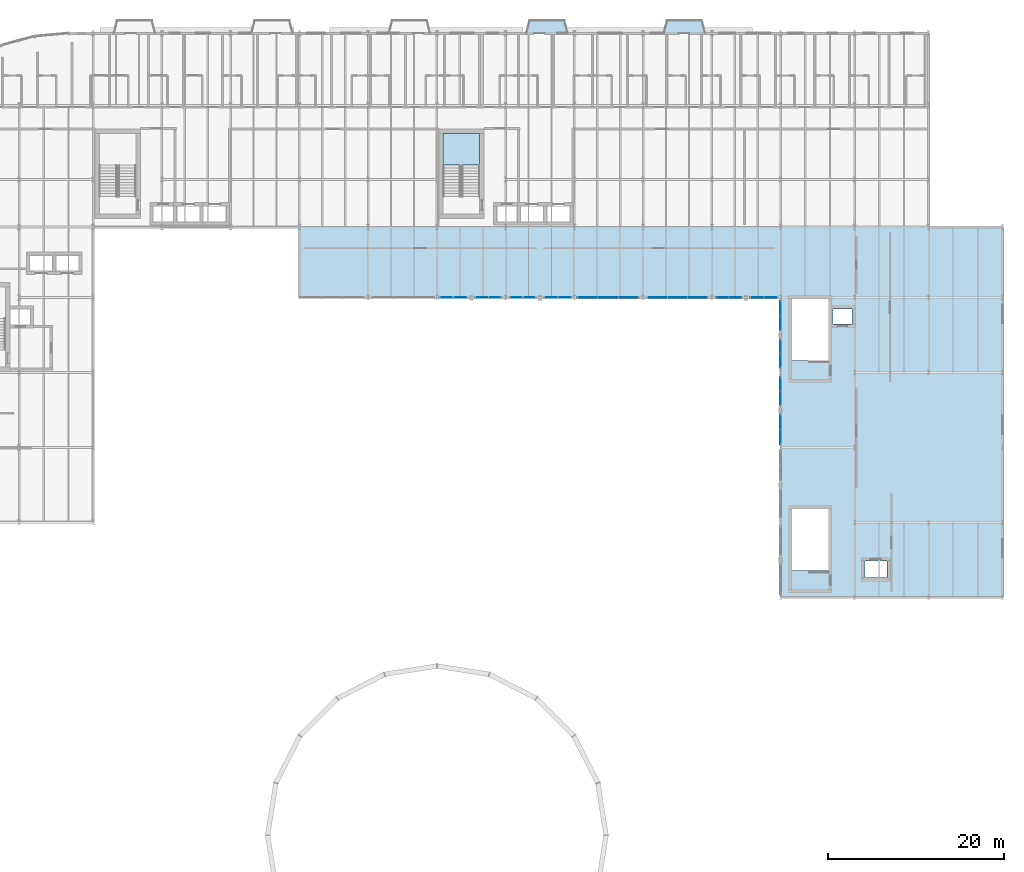
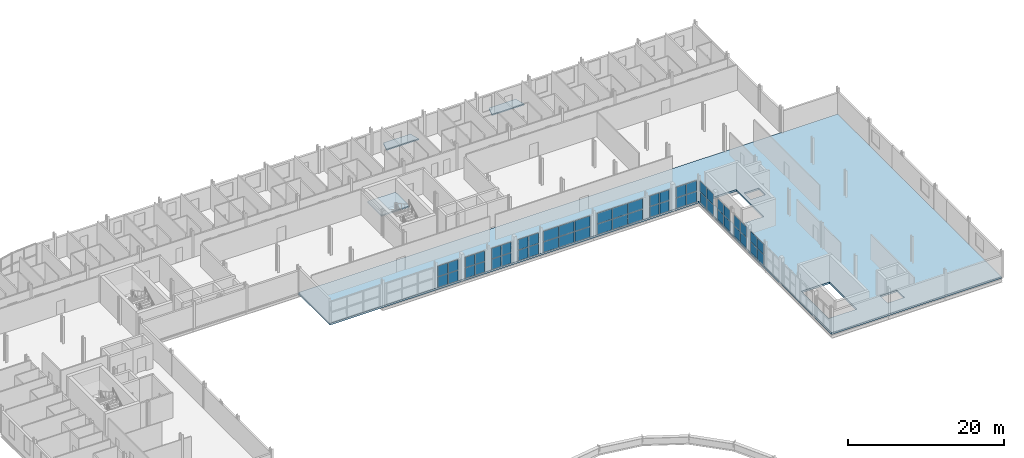
# One storey, part 24 of 45: 52 plates, 4 slabs, 13 elements without a shape of their own.
"""IFC4 building model written with IfcOpenShell, lengths in metres."""

from ifc_helpers import new_model, si_unit, direction, frame, origin, origin_2d, place, context, subcontext, project, spatial, polyline, rectangle, outline, extrude, material, layer, layer_set, type_object, element, aggregate, save


model = new_model("IFC4")

# Units and contexts
model_context = context("Model", 3, precision=1e-05, world=origin(), true_north=direction((0.0, 1.0)))
body_context = subcontext(model_context, "Body", "Model", "MODEL_VIEW")
ifc_project = project(units=[si_unit("LENGTHUNIT", "METRE"), si_unit("AREAUNIT", "SQUARE_METRE"), si_unit("VOLUMEUNIT", "CUBIC_METRE"), si_unit("PLANEANGLEUNIT", "RADIAN"), si_unit("MASSUNIT", "GRAM", prefix="KILO")], contexts=[model_context])

# Site, building, storey
site_placement = place(None, origin())
site = spatial("IfcSite", under=ifc_project, at=site_placement, CompositionType="ELEMENT")
building_placement = place(site_placement, origin())
building = spatial("IfcBuilding", under=site, at=building_placement, Name="Sefraquen Railside Congress Hotel", CompositionType="ELEMENT")
storey_placement = place(building_placement, frame((0.0, 0.0, 20.39990234375)))
storey = spatial("IfcBuildingStorey", under=building, at=storey_placement, Name="L04", CompositionType="ELEMENT", Elevation=20.39990234375)

# Curtain wall, plates
ifc_material_1 = material(Name="Thermally broken anodised aluminium and low-E double glazing", Category="aluminium")
ifc_layer_1 = layer(ifc_material_1, 0.199951171875)
ifc_layer_set_1 = layer_set([ifc_layer_1], Name="Thermally broken anodised aluminium and low-E double glazing")
curtain_wall_type_1 = type_object("IfcCurtainWallType", Name="TCW-UCW-06", PredefinedType="USERDEFINED", material=ifc_layer_set_1)
curtain_wall_1_placement = place(storey_placement, origin())
curtain_wall_1 = element("IfcCurtainWall", 1, at=curtain_wall_1_placement, inside=storey, type_object=curtain_wall_type_1, Name="Meeting Wing L04 courtyard north curtain wall 2", ObjectType="UNITISED CURTAIN WALL", PredefinedType="USERDEFINED")
ifc_material_2 = material(Name="Solar-control low-E double glazing", Category="glass")
ifc_layer_2 = layer(ifc_material_2, 0.02392578125)
ifc_layer_set_2 = layer_set([ifc_layer_2], Name="Solar-control low-E double glazing")
plate_type_1 = type_object("IfcPlateType", Name="TP-CWP-01", PredefinedType="CURTAIN_PANEL", material=ifc_layer_set_2)
plate_1_placement = place(storey_placement, frame((65.28759765625, 88.0, 0.0400390625), z_axis=(0.0, 0.0, 1.0), x_axis=(1.0, 0.0, 0.0)))
plate_1 = element("IfcPlate", 2, at=plate_1_placement, type_object=plate_type_1, Name="CW-L04-070 panel 1.1", PredefinedType="CURTAIN_PANEL", context=body_context, shape_type="SweptSolid", body=[
    extrude(rectangle(XDim=1.465087890625, YDim=0.02392578125, at=origin_2d()), origin(), (0.0, 0.0, 1.0), 1.614990234375),
])
plate_2_placement = place(storey_placement, frame((66.842529296875, 88.0, 0.0400390625), z_axis=(0.0, 0.0, 1.0), x_axis=(1.0, 0.0, 0.0)))
plate_2 = element("IfcPlate", 3, at=plate_2_placement, type_object=plate_type_1, Name="CW-L04-070 panel 1.2", PredefinedType="CURTAIN_PANEL", context=body_context, shape_type="SweptSolid", body=[
    extrude(rectangle(XDim=1.465087890625, YDim=0.02392578125, at=origin_2d()), origin(), (0.0, 0.0, 1.0), 1.614990234375),
])

curtain_wall_2_placement = place(storey_placement, origin())
curtain_wall_2 = element("IfcCurtainWall", 4, at=curtain_wall_2_placement, inside=storey, type_object=curtain_wall_type_1, Name="Meeting Wing L04 courtyard north curtain wall 2 bay 2", ObjectType="UNITISED CURTAIN WALL", PredefinedType="USERDEFINED")
plate_3_placement = place(storey_placement, frame((69.31494140625, 88.0, 0.0400390625), z_axis=(0.0, 0.0, 1.0), x_axis=(1.0, 0.0, 0.0)))
plate_3 = element("IfcPlate", 5, at=plate_3_placement, type_object=plate_type_1, Name="CW-L04-070-S2 panel 1.1", PredefinedType="CURTAIN_PANEL", context=body_context, shape_type="SweptSolid", body=[
    extrude(rectangle(XDim=1.3798828125, YDim=0.02392578125, at=origin_2d()), origin(), (0.0, 0.0, 1.0), 1.614990234375),
])
plate_4_placement = place(storey_placement, frame((70.784912109375, 88.0, 0.0400390625), z_axis=(0.0, 0.0, 1.0), x_axis=(1.0, 0.0, 0.0)))
plate_4 = element("IfcPlate", 6, at=plate_4_placement, type_object=plate_type_1, Name="CW-L04-070-S2 panel 1.2", PredefinedType="CURTAIN_PANEL", context=body_context, shape_type="SweptSolid", body=[
    extrude(rectangle(XDim=1.3798828125, YDim=0.02392578125, at=origin_2d()), origin(), (0.0, 0.0, 1.0), 1.614990234375),
])

curtain_wall_3_placement = place(storey_placement, origin())
curtain_wall_3 = element("IfcCurtainWall", 7, at=curtain_wall_3_placement, inside=storey, type_object=curtain_wall_type_1, Name="Meeting Wing L04 courtyard north curtain wall 2 bay 3", ObjectType="UNITISED CURTAIN WALL", PredefinedType="USERDEFINED")
plate_5_placement = place(storey_placement, frame((73.215087890625, 88.0, 0.0400390625), z_axis=(0.0, 0.0, 1.0), x_axis=(1.0, 0.0, 0.0)))
plate_5 = element("IfcPlate", 8, at=plate_5_placement, type_object=plate_type_1, Name="CW-L04-070-S3 panel 1.1", PredefinedType="CURTAIN_PANEL", context=body_context, shape_type="SweptSolid", body=[
    extrude(rectangle(XDim=1.3798828125, YDim=0.02392578125, at=origin_2d()), origin(), (0.0, 0.0, 1.0), 1.614990234375),
])
plate_6_placement = place(storey_placement, frame((74.68505859375, 88.0, 0.0400390625), z_axis=(0.0, 0.0, 1.0), x_axis=(1.0, 0.0, 0.0)))
plate_6 = element("IfcPlate", 9, at=plate_6_placement, type_object=plate_type_1, Name="CW-L04-070-S3 panel 1.2", PredefinedType="CURTAIN_PANEL", context=body_context, shape_type="SweptSolid", body=[
    extrude(rectangle(XDim=1.3798828125, YDim=0.02392578125, at=origin_2d()), origin(), (0.0, 0.0, 1.0), 1.614990234375),
])

curtain_wall_4_placement = place(storey_placement, origin())
curtain_wall_4 = element("IfcCurtainWall", 10, at=curtain_wall_4_placement, inside=storey, type_object=curtain_wall_type_1, Name="Meeting Wing L04 courtyard north curtain wall 2 bay 4", ObjectType="UNITISED CURTAIN WALL", PredefinedType="USERDEFINED")
plate_7_placement = place(storey_placement, frame((77.157470703125, 88.0, 0.0400390625), z_axis=(0.0, 0.0, 1.0), x_axis=(1.0, 0.0, 0.0)))
plate_7 = element("IfcPlate", 11, at=plate_7_placement, type_object=plate_type_1, Name="CW-L04-070-S4 panel 1.1", PredefinedType="CURTAIN_PANEL", context=body_context, shape_type="SweptSolid", body=[
    extrude(rectangle(XDim=1.465087890625, YDim=0.02392578125, at=origin_2d()), origin(), (0.0, 0.0, 1.0), 1.614990234375),
])
plate_8_placement = place(storey_placement, frame((78.71240234375, 88.0, 0.0400390625), z_axis=(0.0, 0.0, 1.0), x_axis=(1.0, 0.0, 0.0)))
plate_8 = element("IfcPlate", 12, at=plate_8_placement, type_object=plate_type_1, Name="CW-L04-070-S4 panel 1.2", PredefinedType="CURTAIN_PANEL", context=body_context, shape_type="SweptSolid", body=[
    extrude(rectangle(XDim=1.465087890625, YDim=0.02392578125, at=origin_2d()), origin(), (0.0, 0.0, 1.0), 1.614990234375),
])

ifc_layer_3 = layer(ifc_material_1, 0.199951171875)
ifc_layer_set_3 = layer_set([ifc_layer_3], Name="Thermally broken anodised aluminium and low-E double glazing")
curtain_wall_type_2 = type_object("IfcCurtainWallType", Name="TCW-UCW-07", PredefinedType="USERDEFINED", material=ifc_layer_set_3)
curtain_wall_5_placement = place(storey_placement, origin())
curtain_wall_5 = element("IfcCurtainWall", 13, at=curtain_wall_5_placement, inside=storey, type_object=curtain_wall_type_2, Name="Meeting Wing L04 courtyard north curtain wall 3", ObjectType="UNITISED CURTAIN WALL", PredefinedType="USERDEFINED")
plate_9_placement = place(storey_placement, frame((81.2783203125, 88.0, 0.0400390625), z_axis=(0.0, 0.0, 1.0), x_axis=(1.0, 0.0, 0.0)))
plate_9 = element("IfcPlate", 14, at=plate_9_placement, type_object=plate_type_1, Name="CW-L04-071 panel 1.1", PredefinedType="CURTAIN_PANEL", context=body_context, shape_type="SweptSolid", body=[
    extrude(rectangle(XDim=2.24658203125, YDim=0.02392578125, at=origin_2d()), origin(), (0.0, 0.0, 1.0), 1.614990234375),
])
plate_10_placement = place(storey_placement, frame((83.614990234375, 88.0, 0.0400390625), z_axis=(0.0, 0.0, 1.0), x_axis=(1.0, 0.0, 0.0)))
plate_10 = element("IfcPlate", 15, at=plate_10_placement, type_object=plate_type_1, Name="CW-L04-071 panel 1.2", PredefinedType="CURTAIN_PANEL", context=body_context, shape_type="SweptSolid", body=[
    extrude(rectangle(XDim=2.24658203125, YDim=0.02392578125, at=origin_2d()), origin(), (0.0, 0.0, 1.0), 1.614990234375),
])
plate_11_placement = place(storey_placement, frame((85.95166015625, 88.0, 0.0400390625), z_axis=(0.0, 0.0, 1.0), x_axis=(1.0, 0.0, 0.0)))
plate_11 = element("IfcPlate", 16, at=plate_11_placement, type_object=plate_type_1, Name="CW-L04-071 panel 1.3", PredefinedType="CURTAIN_PANEL", context=body_context, shape_type="SweptSolid", body=[
    extrude(rectangle(XDim=2.24658203125, YDim=0.02392578125, at=origin_2d()), origin(), (0.0, 0.0, 1.0), 1.614990234375),
])

curtain_wall_6_placement = place(storey_placement, origin())
curtain_wall_6 = element("IfcCurtainWall", 17, at=curtain_wall_6_placement, inside=storey, type_object=curtain_wall_type_2, Name="Meeting Wing L04 courtyard north curtain wall 3 bay 2", ObjectType="UNITISED CURTAIN WALL", PredefinedType="USERDEFINED")
plate_12_placement = place(storey_placement, frame((89.219970703125, 88.0, 0.0400390625), z_axis=(0.0, 0.0, 1.0), x_axis=(1.0, 0.0, 0.0)))
plate_12 = element("IfcPlate", 18, at=plate_12_placement, type_object=plate_type_1, Name="CW-L04-071-S2 panel 1.1", PredefinedType="CURTAIN_PANEL", context=body_context, shape_type="SweptSolid", body=[
    extrude(rectangle(XDim=2.18994140625, YDim=0.02392578125, at=origin_2d()), origin(), (0.0, 0.0, 1.0), 1.614990234375),
])
plate_13_placement = place(storey_placement, frame((91.5, 88.0, 0.0400390625), z_axis=(0.0, 0.0, 1.0), x_axis=(1.0, 0.0, 0.0)))
plate_13 = element("IfcPlate", 19, at=plate_13_placement, type_object=plate_type_1, Name="CW-L04-071-S2 panel 1.2", PredefinedType="CURTAIN_PANEL", context=body_context, shape_type="SweptSolid", body=[
    extrude(rectangle(XDim=2.18994140625, YDim=0.02392578125, at=origin_2d()), origin(), (0.0, 0.0, 1.0), 1.614990234375),
])
plate_14_placement = place(storey_placement, frame((93.780029296875, 88.0, 0.0400390625), z_axis=(0.0, 0.0, 1.0), x_axis=(1.0, 0.0, 0.0)))
plate_14 = element("IfcPlate", 20, at=plate_14_placement, type_object=plate_type_1, Name="CW-L04-071-S2 panel 1.3", PredefinedType="CURTAIN_PANEL", context=body_context, shape_type="SweptSolid", body=[
    extrude(rectangle(XDim=2.18994140625, YDim=0.02392578125, at=origin_2d()), origin(), (0.0, 0.0, 1.0), 1.614990234375),
])

curtain_wall_7_placement = place(storey_placement, origin())
curtain_wall_7 = element("IfcCurtainWall", 21, at=curtain_wall_7_placement, inside=storey, type_object=curtain_wall_type_2, Name="Meeting Wing L04 courtyard north curtain wall 3 bay 3", ObjectType="UNITISED CURTAIN WALL", PredefinedType="USERDEFINED")
plate_15_placement = place(storey_placement, frame((96.614990234375, 88.0, 0.0400390625), z_axis=(0.0, 0.0, 1.0), x_axis=(1.0, 0.0, 0.0)))
plate_15 = element("IfcPlate", 22, at=plate_15_placement, type_object=plate_type_1, Name="CW-L04-071-S3 panel 1.1", PredefinedType="CURTAIN_PANEL", context=body_context, shape_type="SweptSolid", body=[
    extrude(rectangle(XDim=1.3798828125, YDim=0.02392578125, at=origin_2d()), origin(), (0.0, 0.0, 1.0), 1.614990234375),
])
plate_16_placement = place(storey_placement, frame((98.0849609375, 88.0, 0.0400390625), z_axis=(0.0, 0.0, 1.0), x_axis=(1.0, 0.0, 0.0)))
plate_16 = element("IfcPlate", 23, at=plate_16_placement, type_object=plate_type_1, Name="CW-L04-071-S3 panel 1.2", PredefinedType="CURTAIN_PANEL", context=body_context, shape_type="SweptSolid", body=[
    extrude(rectangle(XDim=1.3798828125, YDim=0.02392578125, at=origin_2d()), origin(), (0.0, 0.0, 1.0), 1.614990234375),
])

curtain_wall_8_placement = place(storey_placement, origin())
curtain_wall_8 = element("IfcCurtainWall", 24, at=curtain_wall_8_placement, inside=storey, type_object=curtain_wall_type_2, Name="Meeting Wing L04 courtyard north curtain wall 3 bay 4", ObjectType="UNITISED CURTAIN WALL", PredefinedType="USERDEFINED")
plate_17_placement = place(storey_placement, frame((100.5576171875, 88.0, 0.0400390625), z_axis=(0.0, 0.0, 1.0), x_axis=(1.0, 0.0, 0.0)))
plate_17 = element("IfcPlate", 25, at=plate_17_placement, type_object=plate_type_1, Name="CW-L04-071-S4 panel 1.1", PredefinedType="CURTAIN_PANEL", context=body_context, shape_type="SweptSolid", body=[
    extrude(rectangle(XDim=1.465087890625, YDim=0.02392578125, at=origin_2d()), origin(), (0.0, 0.0, 1.0), 1.614990234375),
])
plate_18_placement = place(storey_placement, frame((102.112548828125, 88.0, 0.0400390625), z_axis=(0.0, 0.0, 1.0), x_axis=(1.0, 0.0, 0.0)))
plate_18 = element("IfcPlate", 26, at=plate_18_placement, type_object=plate_type_1, Name="CW-L04-071-S4 panel 1.2", PredefinedType="CURTAIN_PANEL", context=body_context, shape_type="SweptSolid", body=[
    extrude(rectangle(XDim=1.465087890625, YDim=0.02392578125, at=origin_2d()), origin(), (0.0, 0.0, 1.0), 1.614990234375),
])

ifc_layer_4 = layer(ifc_material_1, 0.199951171875)
ifc_layer_set_4 = layer_set([ifc_layer_4], Name="Thermally broken anodised aluminium and low-E double glazing")
curtain_wall_type_3 = type_object("IfcCurtainWallType", Name="TCW-UCW-09", PredefinedType="USERDEFINED", material=ifc_layer_set_4)
curtain_wall_9_placement = place(storey_placement, origin())
curtain_wall_9 = element("IfcCurtainWall", 27, at=curtain_wall_9_placement, inside=storey, type_object=curtain_wall_type_3, Name="Meeting Wing L04 courtyard east curtain wall", ObjectType="UNITISED CURTAIN WALL", PredefinedType="USERDEFINED")
plate_19_placement = place(storey_placement, frame((103.199951171875, 72.175048828125, 0.0400390625), z_axis=(0.0, 0.0, 1.0), x_axis=(0.0, 1.0, 0.0)))
plate_19 = element("IfcPlate", 28, at=plate_19_placement, type_object=plate_type_1, Name="CW-L04-073 panel 1.1", PredefinedType="CURTAIN_PANEL", context=body_context, shape_type="SweptSolid", body=[
    extrude(rectangle(XDim=1.639892578125, YDim=0.02392578125, at=origin_2d()), origin(), (0.0, 0.0, 1.0), 1.614990234375),
])
plate_20_placement = place(storey_placement, frame((103.199951171875, 73.905029296875, 0.0400390625), z_axis=(0.0, 0.0, 1.0), x_axis=(0.0, 1.0, 0.0)))
plate_20 = element("IfcPlate", 29, at=plate_20_placement, type_object=plate_type_1, Name="CW-L04-073 panel 1.2", PredefinedType="CURTAIN_PANEL", context=body_context, shape_type="SweptSolid", body=[
    extrude(rectangle(XDim=1.639892578125, YDim=0.02392578125, at=origin_2d()), origin(), (0.0, 0.0, 1.0), 1.614990234375),
])

curtain_wall_10_placement = place(storey_placement, origin())
curtain_wall_10 = element("IfcCurtainWall", 30, at=curtain_wall_10_placement, inside=storey, type_object=curtain_wall_type_3, Name="Meeting Wing L04 courtyard east curtain wall bay 2", ObjectType="UNITISED CURTAIN WALL", PredefinedType="USERDEFINED")
plate_21_placement = place(storey_placement, frame((103.199951171875, 76.552490234375, 0.0400390625), z_axis=(0.0, 0.0, 1.0), x_axis=(0.0, 1.0, 0.0)))
plate_21 = element("IfcPlate", 31, at=plate_21_placement, type_object=plate_type_1, Name="CW-L04-073-S2 panel 1.1", PredefinedType="CURTAIN_PANEL", context=body_context, shape_type="SweptSolid", body=[
    extrude(rectangle(XDim=1.554931640625, YDim=0.02392578125, at=origin_2d()), origin(), (0.0, 0.0, 1.0), 1.614990234375),
])
plate_22_placement = place(storey_placement, frame((103.199951171875, 78.197509765625, 0.0400390625), z_axis=(0.0, 0.0, 1.0), x_axis=(0.0, 1.0, 0.0)))
plate_22 = element("IfcPlate", 32, at=plate_22_placement, type_object=plate_type_1, Name="CW-L04-073-S2 panel 1.2", PredefinedType="CURTAIN_PANEL", context=body_context, shape_type="SweptSolid", body=[
    extrude(rectangle(XDim=1.554931640625, YDim=0.02392578125, at=origin_2d()), origin(), (0.0, 0.0, 1.0), 1.614990234375),
])

curtain_wall_11_placement = place(storey_placement, origin())
curtain_wall_11 = element("IfcCurtainWall", 33, at=curtain_wall_11_placement, inside=storey, type_object=curtain_wall_type_3, Name="Meeting Wing L04 courtyard east curtain wall bay 3", ObjectType="UNITISED CURTAIN WALL", PredefinedType="USERDEFINED")
plate_23_placement = place(storey_placement, frame((103.199951171875, 80.802490234375, 0.0400390625), z_axis=(0.0, 0.0, 1.0), x_axis=(0.0, 1.0, 0.0)))
plate_23 = element("IfcPlate", 34, at=plate_23_placement, type_object=plate_type_1, Name="CW-L04-073-S3 panel 1.1", PredefinedType="CURTAIN_PANEL", context=body_context, shape_type="SweptSolid", body=[
    extrude(rectangle(XDim=1.554931640625, YDim=0.02392578125, at=origin_2d()), origin(), (0.0, 0.0, 1.0), 1.614990234375),
])
plate_24_placement = place(storey_placement, frame((103.199951171875, 82.447509765625, 0.0400390625), z_axis=(0.0, 0.0, 1.0), x_axis=(0.0, 1.0, 0.0)))
plate_24 = element("IfcPlate", 35, at=plate_24_placement, type_object=plate_type_1, Name="CW-L04-073-S3 panel 1.2", PredefinedType="CURTAIN_PANEL", context=body_context, shape_type="SweptSolid", body=[
    extrude(rectangle(XDim=1.554931640625, YDim=0.02392578125, at=origin_2d()), origin(), (0.0, 0.0, 1.0), 1.614990234375),
])

curtain_wall_12_placement = place(storey_placement, origin())
curtain_wall_12 = element("IfcCurtainWall", 36, at=curtain_wall_12_placement, inside=storey, type_object=curtain_wall_type_3, Name="Meeting Wing L04 courtyard east curtain wall bay 4", ObjectType="UNITISED CURTAIN WALL", PredefinedType="USERDEFINED")
plate_25_placement = place(storey_placement, frame((103.199951171875, 85.094970703125, 0.0400390625), z_axis=(0.0, 0.0, 1.0), x_axis=(0.0, 1.0, 0.0)))
plate_25 = element("IfcPlate", 37, at=plate_25_placement, type_object=plate_type_1, Name="CW-L04-073-S4 panel 1.1", PredefinedType="CURTAIN_PANEL", context=body_context, shape_type="SweptSolid", body=[
    extrude(rectangle(XDim=1.639892578125, YDim=0.02392578125, at=origin_2d()), origin(), (0.0, 0.0, 1.0), 1.614990234375),
])
plate_26_placement = place(storey_placement, frame((103.199951171875, 86.824951171875, 0.0400390625), z_axis=(0.0, 0.0, 1.0), x_axis=(0.0, 1.0, 0.0)))
plate_26 = element("IfcPlate", 38, at=plate_26_placement, type_object=plate_type_1, Name="CW-L04-073-S4 panel 1.2", PredefinedType="CURTAIN_PANEL", context=body_context, shape_type="SweptSolid", body=[
    extrude(rectangle(XDim=1.639892578125, YDim=0.02392578125, at=origin_2d()), origin(), (0.0, 0.0, 1.0), 1.614990234375),
])

# Plate
ifc_material_3 = material(Name="Triple acoustic solar-control glazing", Category="glass")
ifc_layer_5 = layer(ifc_material_3, 0.031982421875)
ifc_layer_set_5 = layer_set([ifc_layer_5], Name="Triple acoustic solar-control glazing")
plate_type_2 = type_object("IfcPlateType", Name="TP-CWP-02", PredefinedType="CURTAIN_PANEL", material=ifc_layer_set_5)
plate_27_placement = place(storey_placement, frame((65.28759765625, 88.0, 1.73486328125), z_axis=(0.0, 0.0, 1.0), x_axis=(1.0, 0.0, 0.0)))
plate_27 = element("IfcPlate", 39, at=plate_27_placement, type_object=plate_type_2, Name="CW-L04-070 panel 2.1", PredefinedType="CURTAIN_PANEL", context=body_context, shape_type="SweptSolid", body=[
    extrude(rectangle(XDim=1.465087890625, YDim=0.031982421875, at=origin_2d()), origin(), (0.0, 0.0, 1.0), 1.614990234375),
])

plate_28_placement = place(storey_placement, frame((66.842529296875, 88.0, 1.73486328125), z_axis=(0.0, 0.0, 1.0), x_axis=(1.0, 0.0, 0.0)))
plate_28 = element("IfcPlate", 40, at=plate_28_placement, type_object=plate_type_2, Name="CW-L04-070 panel 2.2", PredefinedType="CURTAIN_PANEL", context=body_context, shape_type="SweptSolid", body=[
    extrude(rectangle(XDim=1.465087890625, YDim=0.031982421875, at=origin_2d()), origin(), (0.0, 0.0, 1.0), 1.614990234375),
])

aggregate(curtain_wall_1, [plate_1, plate_2, plate_27, plate_28])

plate_29_placement = place(storey_placement, frame((69.31494140625, 88.0, 1.73486328125), z_axis=(0.0, 0.0, 1.0), x_axis=(1.0, 0.0, 0.0)))
plate_29 = element("IfcPlate", 41, at=plate_29_placement, type_object=plate_type_2, Name="CW-L04-070-S2 panel 2.1", PredefinedType="CURTAIN_PANEL", context=body_context, shape_type="SweptSolid", body=[
    extrude(rectangle(XDim=1.3798828125, YDim=0.031982421875, at=origin_2d()), origin(), (0.0, 0.0, 1.0), 1.614990234375),
])

plate_30_placement = place(storey_placement, frame((70.784912109375, 88.0, 1.73486328125), z_axis=(0.0, 0.0, 1.0), x_axis=(1.0, 0.0, 0.0)))
plate_30 = element("IfcPlate", 42, at=plate_30_placement, type_object=plate_type_2, Name="CW-L04-070-S2 panel 2.2", PredefinedType="CURTAIN_PANEL", context=body_context, shape_type="SweptSolid", body=[
    extrude(rectangle(XDim=1.3798828125, YDim=0.031982421875, at=origin_2d()), origin(), (0.0, 0.0, 1.0), 1.614990234375),
])

aggregate(curtain_wall_2, [plate_3, plate_4, plate_29, plate_30])

plate_31_placement = place(storey_placement, frame((73.215087890625, 88.0, 1.73486328125), z_axis=(0.0, 0.0, 1.0), x_axis=(1.0, 0.0, 0.0)))
plate_31 = element("IfcPlate", 43, at=plate_31_placement, type_object=plate_type_2, Name="CW-L04-070-S3 panel 2.1", PredefinedType="CURTAIN_PANEL", context=body_context, shape_type="SweptSolid", body=[
    extrude(rectangle(XDim=1.3798828125, YDim=0.031982421875, at=origin_2d()), origin(), (0.0, 0.0, 1.0), 1.614990234375),
])

plate_32_placement = place(storey_placement, frame((74.68505859375, 88.0, 1.73486328125), z_axis=(0.0, 0.0, 1.0), x_axis=(1.0, 0.0, 0.0)))
plate_32 = element("IfcPlate", 44, at=plate_32_placement, type_object=plate_type_2, Name="CW-L04-070-S3 panel 2.2", PredefinedType="CURTAIN_PANEL", context=body_context, shape_type="SweptSolid", body=[
    extrude(rectangle(XDim=1.3798828125, YDim=0.031982421875, at=origin_2d()), origin(), (0.0, 0.0, 1.0), 1.614990234375),
])

aggregate(curtain_wall_3, [plate_5, plate_6, plate_31, plate_32])

plate_33_placement = place(storey_placement, frame((77.157470703125, 88.0, 1.73486328125), z_axis=(0.0, 0.0, 1.0), x_axis=(1.0, 0.0, 0.0)))
plate_33 = element("IfcPlate", 45, at=plate_33_placement, type_object=plate_type_2, Name="CW-L04-070-S4 panel 2.1", PredefinedType="CURTAIN_PANEL", context=body_context, shape_type="SweptSolid", body=[
    extrude(rectangle(XDim=1.465087890625, YDim=0.031982421875, at=origin_2d()), origin(), (0.0, 0.0, 1.0), 1.614990234375),
])

plate_34_placement = place(storey_placement, frame((78.71240234375, 88.0, 1.73486328125), z_axis=(0.0, 0.0, 1.0), x_axis=(1.0, 0.0, 0.0)))
plate_34 = element("IfcPlate", 46, at=plate_34_placement, type_object=plate_type_2, Name="CW-L04-070-S4 panel 2.2", PredefinedType="CURTAIN_PANEL", context=body_context, shape_type="SweptSolid", body=[
    extrude(rectangle(XDim=1.465087890625, YDim=0.031982421875, at=origin_2d()), origin(), (0.0, 0.0, 1.0), 1.614990234375),
])

aggregate(curtain_wall_4, [plate_7, plate_8, plate_33, plate_34])

plate_35_placement = place(storey_placement, frame((81.2783203125, 88.0, 1.73486328125), z_axis=(0.0, 0.0, 1.0), x_axis=(1.0, 0.0, 0.0)))
plate_35 = element("IfcPlate", 47, at=plate_35_placement, type_object=plate_type_2, Name="CW-L04-071 panel 2.1", PredefinedType="CURTAIN_PANEL", context=body_context, shape_type="SweptSolid", body=[
    extrude(rectangle(XDim=2.24658203125, YDim=0.031982421875, at=origin_2d()), origin(), (0.0, 0.0, 1.0), 1.614990234375),
])

plate_36_placement = place(storey_placement, frame((83.614990234375, 88.0, 1.73486328125), z_axis=(0.0, 0.0, 1.0), x_axis=(1.0, 0.0, 0.0)))
plate_36 = element("IfcPlate", 48, at=plate_36_placement, type_object=plate_type_2, Name="CW-L04-071 panel 2.2", PredefinedType="CURTAIN_PANEL", context=body_context, shape_type="SweptSolid", body=[
    extrude(rectangle(XDim=2.24658203125, YDim=0.031982421875, at=origin_2d()), origin(), (0.0, 0.0, 1.0), 1.614990234375),
])

plate_37_placement = place(storey_placement, frame((85.95166015625, 88.0, 1.73486328125), z_axis=(0.0, 0.0, 1.0), x_axis=(1.0, 0.0, 0.0)))
plate_37 = element("IfcPlate", 49, at=plate_37_placement, type_object=plate_type_2, Name="CW-L04-071 panel 2.3", PredefinedType="CURTAIN_PANEL", context=body_context, shape_type="SweptSolid", body=[
    extrude(rectangle(XDim=2.24658203125, YDim=0.031982421875, at=origin_2d()), origin(), (0.0, 0.0, 1.0), 1.614990234375),
])

aggregate(curtain_wall_5, [plate_9, plate_10, plate_11, plate_35, plate_36, plate_37])

plate_38_placement = place(storey_placement, frame((89.219970703125, 88.0, 1.73486328125), z_axis=(0.0, 0.0, 1.0), x_axis=(1.0, 0.0, 0.0)))
plate_38 = element("IfcPlate", 50, at=plate_38_placement, type_object=plate_type_2, Name="CW-L04-071-S2 panel 2.1", PredefinedType="CURTAIN_PANEL", context=body_context, shape_type="SweptSolid", body=[
    extrude(rectangle(XDim=2.18994140625, YDim=0.031982421875, at=origin_2d()), origin(), (0.0, 0.0, 1.0), 1.614990234375),
])

plate_39_placement = place(storey_placement, frame((91.5, 88.0, 1.73486328125), z_axis=(0.0, 0.0, 1.0), x_axis=(1.0, 0.0, 0.0)))
plate_39 = element("IfcPlate", 51, at=plate_39_placement, type_object=plate_type_2, Name="CW-L04-071-S2 panel 2.2", PredefinedType="CURTAIN_PANEL", context=body_context, shape_type="SweptSolid", body=[
    extrude(rectangle(XDim=2.18994140625, YDim=0.031982421875, at=origin_2d()), origin(), (0.0, 0.0, 1.0), 1.614990234375),
])

plate_40_placement = place(storey_placement, frame((93.780029296875, 88.0, 1.73486328125), z_axis=(0.0, 0.0, 1.0), x_axis=(1.0, 0.0, 0.0)))
plate_40 = element("IfcPlate", 52, at=plate_40_placement, type_object=plate_type_2, Name="CW-L04-071-S2 panel 2.3", PredefinedType="CURTAIN_PANEL", context=body_context, shape_type="SweptSolid", body=[
    extrude(rectangle(XDim=2.18994140625, YDim=0.031982421875, at=origin_2d()), origin(), (0.0, 0.0, 1.0), 1.614990234375),
])

aggregate(curtain_wall_6, [plate_12, plate_13, plate_14, plate_38, plate_39, plate_40])

plate_41_placement = place(storey_placement, frame((96.614990234375, 88.0, 1.73486328125), z_axis=(0.0, 0.0, 1.0), x_axis=(1.0, 0.0, 0.0)))
plate_41 = element("IfcPlate", 53, at=plate_41_placement, type_object=plate_type_2, Name="CW-L04-071-S3 panel 2.1", PredefinedType="CURTAIN_PANEL", context=body_context, shape_type="SweptSolid", body=[
    extrude(rectangle(XDim=1.3798828125, YDim=0.031982421875, at=origin_2d()), origin(), (0.0, 0.0, 1.0), 1.614990234375),
])

plate_42_placement = place(storey_placement, frame((98.0849609375, 88.0, 1.73486328125), z_axis=(0.0, 0.0, 1.0), x_axis=(1.0, 0.0, 0.0)))
plate_42 = element("IfcPlate", 54, at=plate_42_placement, type_object=plate_type_2, Name="CW-L04-071-S3 panel 2.2", PredefinedType="CURTAIN_PANEL", context=body_context, shape_type="SweptSolid", body=[
    extrude(rectangle(XDim=1.3798828125, YDim=0.031982421875, at=origin_2d()), origin(), (0.0, 0.0, 1.0), 1.614990234375),
])

aggregate(curtain_wall_7, [plate_15, plate_16, plate_41, plate_42])

plate_43_placement = place(storey_placement, frame((100.5576171875, 88.0, 1.73486328125), z_axis=(0.0, 0.0, 1.0), x_axis=(1.0, 0.0, 0.0)))
plate_43 = element("IfcPlate", 55, at=plate_43_placement, type_object=plate_type_2, Name="CW-L04-071-S4 panel 2.1", PredefinedType="CURTAIN_PANEL", context=body_context, shape_type="SweptSolid", body=[
    extrude(rectangle(XDim=1.465087890625, YDim=0.031982421875, at=origin_2d()), origin(), (0.0, 0.0, 1.0), 1.614990234375),
])

plate_44_placement = place(storey_placement, frame((102.112548828125, 88.0, 1.73486328125), z_axis=(0.0, 0.0, 1.0), x_axis=(1.0, 0.0, 0.0)))
plate_44 = element("IfcPlate", 56, at=plate_44_placement, type_object=plate_type_2, Name="CW-L04-071-S4 panel 2.2", PredefinedType="CURTAIN_PANEL", context=body_context, shape_type="SweptSolid", body=[
    extrude(rectangle(XDim=1.465087890625, YDim=0.031982421875, at=origin_2d()), origin(), (0.0, 0.0, 1.0), 1.614990234375),
])

aggregate(curtain_wall_8, [plate_17, plate_18, plate_43, plate_44])

plate_45_placement = place(storey_placement, frame((103.199951171875, 72.175048828125, 1.73486328125), z_axis=(0.0, 0.0, 1.0), x_axis=(0.0, 1.0, 0.0)))
plate_45 = element("IfcPlate", 57, at=plate_45_placement, type_object=plate_type_2, Name="CW-L04-073 panel 2.1", PredefinedType="CURTAIN_PANEL", context=body_context, shape_type="SweptSolid", body=[
    extrude(rectangle(XDim=1.639892578125, YDim=0.031982421875, at=origin_2d()), origin(), (0.0, 0.0, 1.0), 1.614990234375),
])

plate_46_placement = place(storey_placement, frame((103.199951171875, 73.905029296875, 1.73486328125), z_axis=(0.0, 0.0, 1.0), x_axis=(0.0, 1.0, 0.0)))
plate_46 = element("IfcPlate", 58, at=plate_46_placement, type_object=plate_type_2, Name="CW-L04-073 panel 2.2", PredefinedType="CURTAIN_PANEL", context=body_context, shape_type="SweptSolid", body=[
    extrude(rectangle(XDim=1.639892578125, YDim=0.031982421875, at=origin_2d()), origin(), (0.0, 0.0, 1.0), 1.614990234375),
])

aggregate(curtain_wall_9, [plate_19, plate_20, plate_45, plate_46])

plate_47_placement = place(storey_placement, frame((103.199951171875, 76.552490234375, 1.73486328125), z_axis=(0.0, 0.0, 1.0), x_axis=(0.0, 1.0, 0.0)))
plate_47 = element("IfcPlate", 59, at=plate_47_placement, type_object=plate_type_2, Name="CW-L04-073-S2 panel 2.1", PredefinedType="CURTAIN_PANEL", context=body_context, shape_type="SweptSolid", body=[
    extrude(rectangle(XDim=1.554931640625, YDim=0.031982421875, at=origin_2d()), origin(), (0.0, 0.0, 1.0), 1.614990234375),
])

plate_48_placement = place(storey_placement, frame((103.199951171875, 78.197509765625, 1.73486328125), z_axis=(0.0, 0.0, 1.0), x_axis=(0.0, 1.0, 0.0)))
plate_48 = element("IfcPlate", 60, at=plate_48_placement, type_object=plate_type_2, Name="CW-L04-073-S2 panel 2.2", PredefinedType="CURTAIN_PANEL", context=body_context, shape_type="SweptSolid", body=[
    extrude(rectangle(XDim=1.554931640625, YDim=0.031982421875, at=origin_2d()), origin(), (0.0, 0.0, 1.0), 1.614990234375),
])

aggregate(curtain_wall_10, [plate_21, plate_22, plate_47, plate_48])

plate_49_placement = place(storey_placement, frame((103.199951171875, 80.802490234375, 1.73486328125), z_axis=(0.0, 0.0, 1.0), x_axis=(0.0, 1.0, 0.0)))
plate_49 = element("IfcPlate", 61, at=plate_49_placement, type_object=plate_type_2, Name="CW-L04-073-S3 panel 2.1", PredefinedType="CURTAIN_PANEL", context=body_context, shape_type="SweptSolid", body=[
    extrude(rectangle(XDim=1.554931640625, YDim=0.031982421875, at=origin_2d()), origin(), (0.0, 0.0, 1.0), 1.614990234375),
])

plate_50_placement = place(storey_placement, frame((103.199951171875, 82.447509765625, 1.73486328125), z_axis=(0.0, 0.0, 1.0), x_axis=(0.0, 1.0, 0.0)))
plate_50 = element("IfcPlate", 62, at=plate_50_placement, type_object=plate_type_2, Name="CW-L04-073-S3 panel 2.2", PredefinedType="CURTAIN_PANEL", context=body_context, shape_type="SweptSolid", body=[
    extrude(rectangle(XDim=1.554931640625, YDim=0.031982421875, at=origin_2d()), origin(), (0.0, 0.0, 1.0), 1.614990234375),
])

aggregate(curtain_wall_11, [plate_23, plate_24, plate_49, plate_50])

plate_51_placement = place(storey_placement, frame((103.199951171875, 85.094970703125, 1.73486328125), z_axis=(0.0, 0.0, 1.0), x_axis=(0.0, 1.0, 0.0)))
plate_51 = element("IfcPlate", 63, at=plate_51_placement, type_object=plate_type_2, Name="CW-L04-073-S4 panel 2.1", PredefinedType="CURTAIN_PANEL", context=body_context, shape_type="SweptSolid", body=[
    extrude(rectangle(XDim=1.639892578125, YDim=0.031982421875, at=origin_2d()), origin(), (0.0, 0.0, 1.0), 1.614990234375),
])

plate_52_placement = place(storey_placement, frame((103.199951171875, 86.824951171875, 1.73486328125), z_axis=(0.0, 0.0, 1.0), x_axis=(0.0, 1.0, 0.0)))
plate_52 = element("IfcPlate", 64, at=plate_52_placement, type_object=plate_type_2, Name="CW-L04-073-S4 panel 2.2", PredefinedType="CURTAIN_PANEL", context=body_context, shape_type="SweptSolid", body=[
    extrude(rectangle(XDim=1.639892578125, YDim=0.031982421875, at=origin_2d()), origin(), (0.0, 0.0, 1.0), 1.614990234375),
])

aggregate(curtain_wall_12, [plate_25, plate_26, plate_51, plate_52])

# Slabs
ifc_material_4 = material(Name="Concrete C40/50", Category="concrete")
ifc_layer_6 = layer(ifc_material_4, 0.179931640625)
ifc_layer_set_6 = layer_set([ifc_layer_6], Name="Concrete C40/50")
slab_type_1 = type_object("IfcSlabType", Name="TS-BL-180", PredefinedType="FLOOR", material=ifc_layer_set_6)
slab_1_placement = place(storey_placement, frame((0.0, 0.0, -0.179931640625)))
element("IfcSlab", 65, at=slab_1_placement, inside=storey, type_object=slab_type_1, Name="Hotel Art Nouveau balcony slab L04-04", PredefinedType="FLOOR", context=body_context, shape_type="SweptSolid", body=[
    extrude(outline(polyline([(74.300048828125, 118.0), (79.10009765625, 118.0), (78.699951171875, 119.5), (74.699951171875, 119.5), (74.300048828125, 118.0)])), origin(), (0.0, 0.0, 1.0), 0.179931640625),
])
slab_2_placement = place(storey_placement, frame((0.0, 0.0, -0.179931640625)))
element("IfcSlab", 66, at=slab_2_placement, inside=storey, type_object=slab_type_1, Name="Hotel Art Nouveau balcony slab L04-05", PredefinedType="FLOOR", context=body_context, shape_type="SweptSolid", body=[
    extrude(outline(polyline([(89.89990234375, 118.0), (94.699951171875, 118.0), (94.300048828125, 119.5), (90.300048828125, 119.5), (89.89990234375, 118.0)])), origin(), (0.0, 0.0, 1.0), 0.179931640625),
])
ifc_layer_7 = layer(ifc_material_4, 0.280029296875)
ifc_layer_set_7 = layer_set([ifc_layer_7], Name="Concrete C40/50")
slab_type_2 = type_object("IfcSlabType", Name="TS-FS-280", PredefinedType="FLOOR", material=ifc_layer_set_7)
slab_3_placement = place(storey_placement, frame((0.0, 0.0, -0.27978515625)))
element("IfcSlab", 67, at=slab_3_placement, inside=storey, type_object=slab_type_2, Name="Meeting Wing L04 floor slab", PredefinedType="FLOOR", context=body_context, shape_type="SweptSolid", body=[
    extrude(outline(polyline([(48.60009765625, 88.0), (103.199951171875, 88.0), (103.199951171875, 54.050048828125), (128.35009765625, 54.050048828125), (128.35009765625, 96.0), (48.60009765625, 96.0), (48.60009765625, 88.0)]), holes=[polyline([(104.5, 80.8701171875), (108.659912109375, 80.8701171875), (108.659912109375, 87.862060546875), (104.5, 87.862060546875), (104.5, 80.8701171875)]), polyline([(104.5, 57.02001953125), (108.659912109375, 57.02001953125), (108.659912109375, 64.011962890625), (104.5, 64.011962890625), (104.5, 57.02001953125)]), polyline([(109.1298828125, 85.0), (111.330078125, 85.0), (111.330078125, 86.699951171875), (109.1298828125, 86.699951171875), (109.1298828125, 85.0)]), polyline([(112.75, 56.219970703125), (115.25, 56.219970703125), (115.25, 58.1201171875), (112.75, 58.1201171875), (112.75, 56.219970703125)])]), origin(), (0.0, 0.0, 1.0), 0.27978515625),
])

# Stair, slab
stair_type = type_object("IfcStairType", Name="TST-DOG-198-450", PredefinedType="HALF_TURN_STAIR", material=ifc_material_4)
stair_placement = place(storey_placement, origin())
stair = element("IfcStair", 68, at=stair_placement, inside=storey, type_object=stair_type, Name="L04 Pressurized escape stair ST-H03", PredefinedType="HALF_TURN_STAIR")
ifc_layer_8 = layer(ifc_material_4, 0.199951171875)
ifc_layer_set_8 = layer_set([ifc_layer_8], Name="Concrete C40/50")
slab_type_3 = type_object("IfcSlabType", Name="TS-LD-200", PredefinedType="LANDING", material=ifc_layer_set_8)
slab_4_placement = place(storey_placement, frame((0.0, 0.0, 1.900146484375)))
slab_4 = element("IfcSlab", 69, at=slab_4_placement, type_object=slab_type_3, Name="ST-H03 landing 1", PredefinedType="LANDING", context=body_context, shape_type="SweptSolid", body=[
    extrude(outline(polyline([(69.06005859375, 103.02197265625), (69.06005859375, 106.612060546875), (64.89990234375, 106.612060546875), (64.89990234375, 103.02197265625), (69.06005859375, 103.02197265625)])), origin(), (0.0, 0.0, 1.0), 0.199951171875),
])
aggregate(stair, [slab_4])

save(model, "model.ifc")
